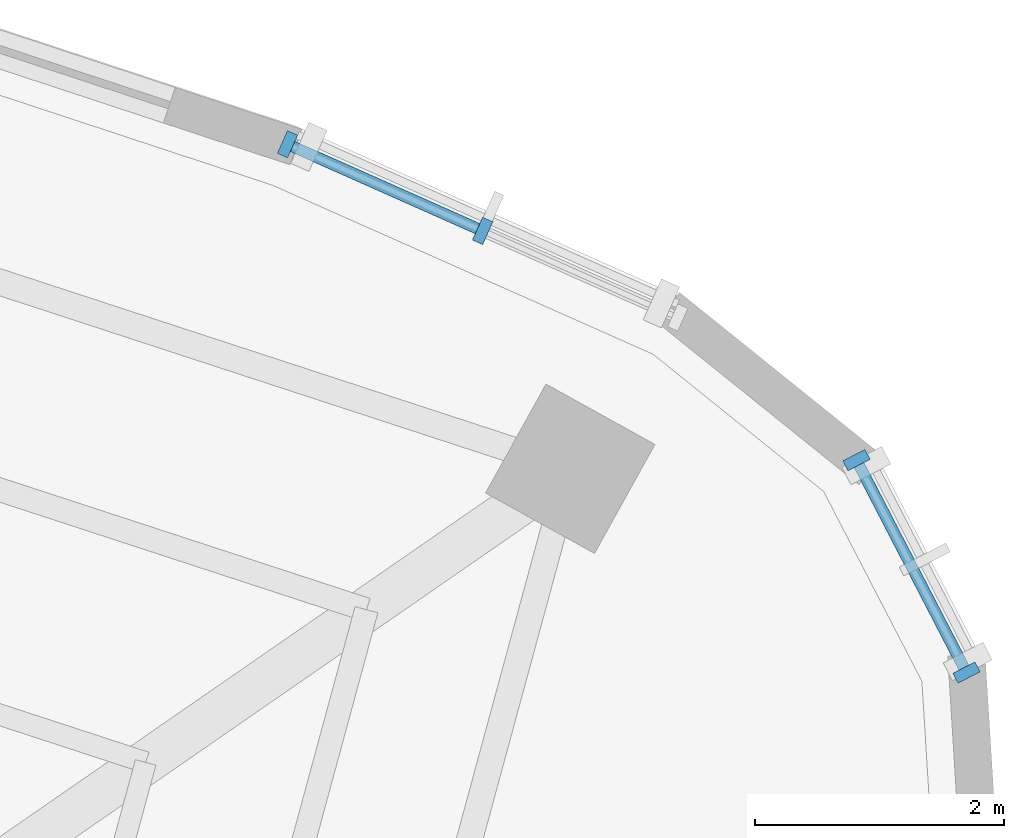
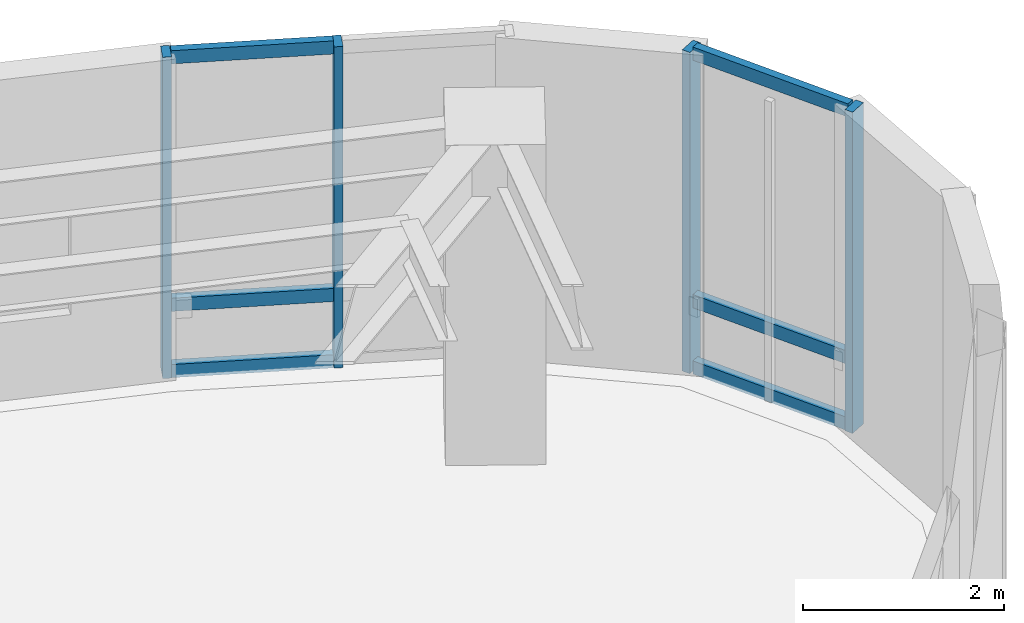
# One storey, part 6 of 15: 10 members, 2 elements without a shape of their own.
"""IFC4 building model written with IfcOpenShell, lengths in metres."""

from ifc_helpers import new_model, si_unit, direction, frame, origin, origin_2d, place, context, subcontext, project, spatial, rectangle, extrude, material, layer, layer_set, material_profile, profile_set, type_object, element, aggregate, save


model = new_model("IFC4")

# Units and contexts
model_context = context("Model", 3, precision=1e-05, world=origin(), true_north=direction((0.0, 1.0)))
body_context = subcontext(model_context, "Body", "Model", "MODEL_VIEW")
ifc_project = project(units=[si_unit("LENGTHUNIT", "METRE"), si_unit("AREAUNIT", "SQUARE_METRE"), si_unit("VOLUMEUNIT", "CUBIC_METRE"), si_unit("PLANEANGLEUNIT", "RADIAN"), si_unit("MASSUNIT", "GRAM", prefix="KILO")], contexts=[model_context])

# Site, building, storey
site_placement = place(None, origin())
site = spatial("IfcSite", under=ifc_project, at=site_placement, CompositionType="ELEMENT")
building_placement = place(site_placement, origin())
building = spatial("IfcBuilding", under=site, at=building_placement, Name="Korentha Bioscience Tower", CompositionType="ELEMENT")
storey_placement = place(building_placement, frame((0.0, 0.0, 218.39990234375)))
storey = spatial("IfcBuildingStorey", under=building, at=storey_placement, Name="L50", CompositionType="ELEMENT", Elevation=218.39990234375)

# Curtain wall, members
ifc_material_1 = material(Name="Thermally Broken Aluminium Frame", Category="aluminium")
ifc_layer = layer(ifc_material_1, 0.219970703125, Name="Thermally Broken Aluminium Frame")
ifc_layer_set = layer_set([ifc_layer], Name="Thermally Broken Aluminium Frame (CW-T2)")
curtain_wall_type = type_object("IfcCurtainWallType", Name="Solar-Screened Lab Unitised Curtain Wall CW-T2", PredefinedType="USERDEFINED", material=ifc_layer_set)
curtain_wall_1_placement = place(storey_placement, origin())
curtain_wall_1 = element("IfcCurtainWall", 1, at=curtain_wall_1_placement, inside=storey, type_object=curtain_wall_type, Name="L50 Curtain Wall 01", ObjectType="UNITISED", PredefinedType="USERDEFINED")
ifc_material_2 = material(Name="Anodised Aluminium 6063-T6", Category="aluminium")
ifc_material_profile_1 = material_profile(ifc_material_2, rectangle(XDim=0.090087890625, YDim=0.199951171875, at=origin_2d()), Name="Anodised Aluminium 6063-T6")
ifc_profile_set_1 = profile_set([ifc_material_profile_1], Name="Anodised Aluminium 6063-T6 (CW-MUL)")
member_type_1 = type_object("IfcMemberType", Name="Mullion RECT 90x200", PredefinedType="MULLION", material=ifc_profile_set_1)
member_1_placement = place(storey_placement, frame((49.471923828125, 46.49072265625, 0.0), z_axis=(0.0, 0.0, 1.0), x_axis=(-0.913943941578, 0.405840450983, 0.0)))
member_1 = element("IfcMember", 2, at=member_1_placement, type_object=member_type_1, Name="CW-L50-01 Mullion 2", PredefinedType="MULLION", context=body_context, shape_type="SweptSolid", body=[
    extrude(rectangle(XDim=0.090087890625, YDim=0.199951171875, at=origin_2d()), origin(), (0.0, 0.0, 1.0), 3.900146484375),
])
member_2_placement = place(storey_placement, frame((47.9052734375, 47.186279296875, 0.0), z_axis=(0.0, 0.0, 1.0), x_axis=(-0.913943941578, 0.405840450983, 0.0)))
member_2 = element("IfcMember", 3, at=member_2_placement, type_object=member_type_1, Name="CW-L50-01 Mullion 3", PredefinedType="MULLION", context=body_context, shape_type="SweptSolid", body=[
    extrude(rectangle(XDim=0.090087890625, YDim=0.199951171875, at=origin_2d()), origin(), (0.0, 0.0, 1.0), 3.900146484375),
])

curtain_wall_2_placement = place(storey_placement, origin())
curtain_wall_2 = element("IfcCurtainWall", 4, at=curtain_wall_2_placement, inside=storey, type_object=curtain_wall_type, Name="L50 Curtain Wall 61", ObjectType="UNITISED", PredefinedType="USERDEFINED")
member_3_placement = place(storey_placement, frame((53.356689453125, 42.9443359375, 0.0), z_axis=(0.0, 0.0, 1.0), x_axis=(-0.459738031963, 0.888054582763, 0.0)))
member_3 = element("IfcMember", 5, at=member_3_placement, type_object=member_type_1, Name="CW-L50-61 Mullion 1", PredefinedType="MULLION", context=body_context, shape_type="SweptSolid", body=[
    extrude(rectangle(XDim=0.090087890625, YDim=0.199951171875, at=origin_2d()), origin(), (0.0, 0.0, 1.0), 3.900146484375),
])
member_4_placement = place(storey_placement, frame((52.473388671875, 44.650390625, 0.0), z_axis=(0.0, 0.0, 1.0), x_axis=(-0.459738031963, 0.888054582763, 0.0)))
member_4 = element("IfcMember", 6, at=member_4_placement, type_object=member_type_1, Name="CW-L50-61 Mullion 2", PredefinedType="MULLION", context=body_context, shape_type="SweptSolid", body=[
    extrude(rectangle(XDim=0.090087890625, YDim=0.199951171875, at=origin_2d()), origin(), (0.0, 0.0, 1.0), 3.900146484375),
])

# Member
ifc_material_profile_2 = material_profile(ifc_material_2, rectangle(XDim=0.090087890625, YDim=0.159912109375, at=origin_2d()), Name="Anodised Aluminium 6063-T6")
ifc_profile_set_2 = profile_set([ifc_material_profile_2], Name="Anodised Aluminium 6063-T6 (CW-TRN)")
member_type_2 = type_object("IfcMemberType", Name="Transom RECT 90x160", PredefinedType="USERDEFINED", material=ifc_profile_set_2)
member_5_placement = place(storey_placement, frame((49.430908203125, 46.509033203125, 0.045166015625), z_axis=(-0.913935479932, 0.405859505891, 0.0), x_axis=(-0.405859505891, -0.913935479932, 0.0)))
member_5 = element("IfcMember", 7, at=member_5_placement, type_object=member_type_2, Name="CW-L50-01 Bay 2 Transom 1", ObjectType="TRANSOM", PredefinedType="USERDEFINED", context=body_context, shape_type="SweptSolid", body=[
    extrude(rectangle(XDim=0.090087890625, YDim=0.159912109375, at=origin_2d()), origin(), (0.0, 0.0, 1.0), 1.624267578125),
])

member_6_placement = place(storey_placement, frame((49.430908203125, 46.509033203125, 0.85009765625), z_axis=(-0.913935479932, 0.405859505891, 0.0), x_axis=(-0.405859505891, -0.913935479932, 0.0)))
member_6 = element("IfcMember", 8, at=member_6_placement, type_object=member_type_2, Name="CW-L50-01 Bay 2 Transom 2", ObjectType="TRANSOM", PredefinedType="USERDEFINED", context=body_context, shape_type="SweptSolid", body=[
    extrude(rectangle(XDim=0.090087890625, YDim=0.159912109375, at=origin_2d()), origin(), (0.0, 0.0, 1.0), 1.624267578125),
])

member_7_placement = place(storey_placement, frame((49.430908203125, 46.509033203125, 3.85498046875), z_axis=(-0.913935479932, 0.405859505891, 0.0), x_axis=(-0.405859505891, -0.913935479932, 0.0)))
member_7 = element("IfcMember", 9, at=member_7_placement, type_object=member_type_2, Name="CW-L50-01 Bay 2 Transom 3", ObjectType="TRANSOM", PredefinedType="USERDEFINED", context=body_context, shape_type="SweptSolid", body=[
    extrude(rectangle(XDim=0.090087890625, YDim=0.159912109375, at=origin_2d()), origin(), (0.0, 0.0, 1.0), 1.624267578125),
])

aggregate(curtain_wall_1, [member_1, member_2, member_5, member_6, member_7])

member_8_placement = place(storey_placement, frame((53.3359375, 42.984130859375, 0.045166015625), z_axis=(-0.459752886798, 0.888046892389, 0.0), x_axis=(-0.888046892389, -0.459752886798, 0.0)))
member_8 = element("IfcMember", 10, at=member_8_placement, type_object=member_type_2, Name="CW-L50-61 Bay 1 Transom 1", ObjectType="TRANSOM", PredefinedType="USERDEFINED", context=body_context, shape_type="SweptSolid", body=[
    extrude(rectangle(XDim=0.090087890625, YDim=0.159912109375, at=origin_2d()), origin(), (0.0, 0.0, 1.0), 1.83154296875),
])

member_9_placement = place(storey_placement, frame((53.3359375, 42.984130859375, 0.85009765625), z_axis=(-0.459752886798, 0.888046892389, 0.0), x_axis=(-0.888046892389, -0.459752886798, 0.0)))
member_9 = element("IfcMember", 11, at=member_9_placement, type_object=member_type_2, Name="CW-L50-61 Bay 1 Transom 2", ObjectType="TRANSOM", PredefinedType="USERDEFINED", context=body_context, shape_type="SweptSolid", body=[
    extrude(rectangle(XDim=0.090087890625, YDim=0.159912109375, at=origin_2d()), origin(), (0.0, 0.0, 1.0), 1.83154296875),
])

member_10_placement = place(storey_placement, frame((53.3359375, 42.984130859375, 3.85498046875), z_axis=(-0.459752886798, 0.888046892389, 0.0), x_axis=(-0.888046892389, -0.459752886798, 0.0)))
member_10 = element("IfcMember", 12, at=member_10_placement, type_object=member_type_2, Name="CW-L50-61 Bay 1 Transom 3", ObjectType="TRANSOM", PredefinedType="USERDEFINED", context=body_context, shape_type="SweptSolid", body=[
    extrude(rectangle(XDim=0.090087890625, YDim=0.159912109375, at=origin_2d()), origin(), (0.0, 0.0, 1.0), 1.83154296875),
])

aggregate(curtain_wall_2, [member_3, member_4, member_8, member_9, member_10])

save(model, "model.ifc")
